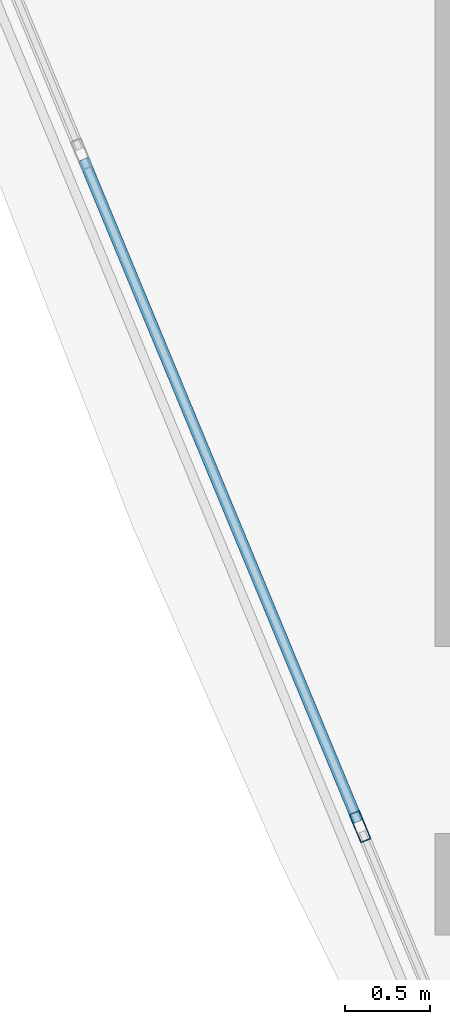
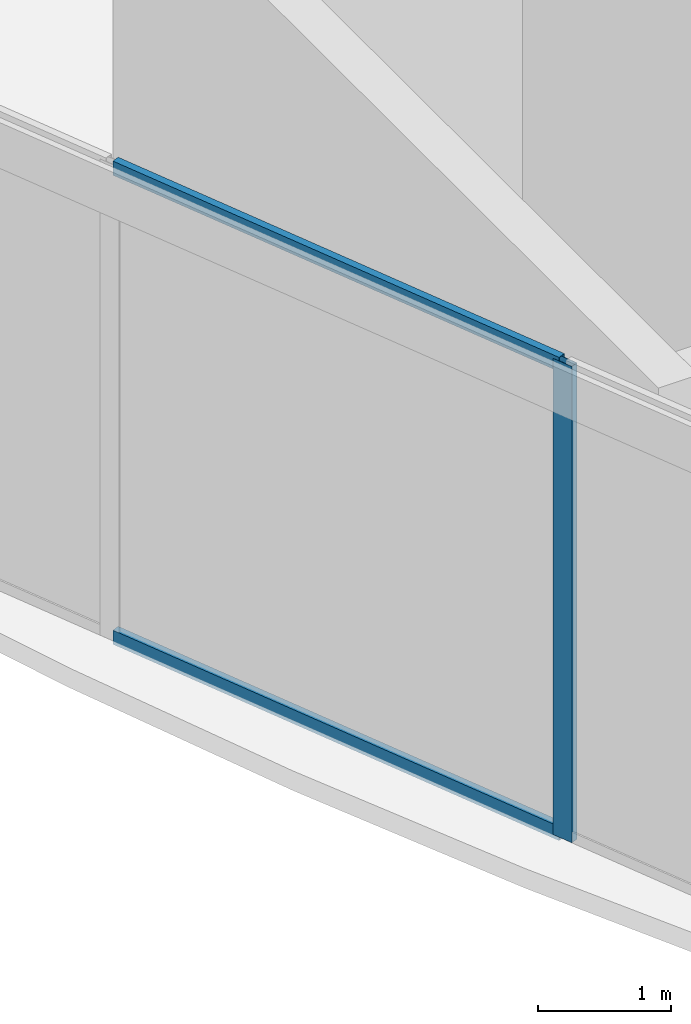
# One storey, part 29 of 157: 3 members, 1 element without a shape of its own.
"""IFC4 building model written with IfcOpenShell, lengths in metres."""

from ifc_helpers import new_model, si_unit, direction, frame, origin, origin_2d, place, context, subcontext, project, spatial, hollow_rectangle, extrude, material, material_profile, profile_set, type_object, element, aggregate, save


model = new_model("IFC4")

# Units and contexts
model_context = context("Model", 3, precision=1e-05, world=origin(), true_north=direction((0.0, 1.0)))
body_context = subcontext(model_context, "Body", "Model", "MODEL_VIEW")
ifc_project = project(units=[si_unit("LENGTHUNIT", "METRE"), si_unit("AREAUNIT", "SQUARE_METRE"), si_unit("VOLUMEUNIT", "CUBIC_METRE"), si_unit("PLANEANGLEUNIT", "RADIAN"), si_unit("MASSUNIT", "GRAM", prefix="KILO")], contexts=[model_context])

# Site, building, storey
site_placement = place(None, origin())
site = spatial("IfcSite", under=ifc_project, at=site_placement, CompositionType="ELEMENT")
building_placement = place(site_placement, origin())
building = spatial("IfcBuilding", under=site, at=building_placement, Name="Almandine Court Research Institute", CompositionType="ELEMENT")
storey_placement = place(building_placement, frame((0.0, 0.0, 5.25)))
storey = spatial("IfcBuildingStorey", under=building, at=storey_placement, Name="L01", CompositionType="ELEMENT", Elevation=5.25)

# Curtain wall, members
ifc_material_1 = material(Name="Unitised Curtain Wall Framing and Solar Glazing", Category="glass")
curtain_wall_type = type_object("IfcCurtainWallType", Name="CW-CWJ-19", PredefinedType="USERDEFINED", material=ifc_material_1)
curtain_wall_placement = place(storey_placement, origin())
curtain_wall = element("IfcCurtainWall", 1, at=curtain_wall_placement, inside=storey, type_object=curtain_wall_type, Name="L01 Stacked-Ring Drum Outer Solar Jali Screen 13", ObjectType="SOLAR JALI SCREEN", PredefinedType="USERDEFINED")
ifc_material_2 = material(Name="Anodised Aluminium AW-6063-T6", Category="aluminium")
ifc_material_profile_1 = material_profile(ifc_material_2, hollow_rectangle(XDim=0.06494140625, YDim=0.179931640625, WallThickness=0.00390625, at=origin_2d()), Name="ALU RHS 65x180x4")
ifc_profile_set_1 = profile_set([ifc_material_profile_1], Name="Anodised Aluminium AW-6063-T6")
member_type_1 = type_object("IfcMemberType", Name="CWMul-65x180", PredefinedType="MULLION", material=ifc_profile_set_1)
member_1_placement = place(storey_placement, frame((42.6083984375, 35.2890625, 0.0), z_axis=(0.0, 0.0, 1.0), x_axis=(-0.923888124321, -0.382662689242, 0.0)))
member_1 = element("IfcMember", 2, at=member_1_placement, type_object=member_type_1, Name="CWJ-19 mullion 2", PredefinedType="MULLION", context=body_context, shape_type="SweptSolid", body=[
    extrude(hollow_rectangle(XDim=0.06494140625, YDim=0.179931640625, WallThickness=0.00390625, at=origin_2d()), origin(), (0.0, 0.0, 1.0), 4.3701171875),
])
ifc_material_profile_2 = material_profile(ifc_material_2, hollow_rectangle(XDim=0.06494140625, YDim=0.1298828125, WallThickness=0.00390625, at=origin_2d()), Name="ALU RHS 65x130x4")
ifc_profile_set_2 = profile_set([ifc_material_profile_2], Name="Anodised Aluminium AW-6063-T6")
member_type_2 = type_object("IfcMemberType", Name="CWTrn-65x130", PredefinedType="NOTDEFINED", material=ifc_profile_set_2)
member_2_placement = place(storey_placement, frame((42.595947265625, 35.319091796875, 0.032470703125), z_axis=(-0.382703712437, 0.92387113197, 0.0), x_axis=(-0.92387113197, -0.382703712437, 0.0)))
member_2 = element("IfcMember", 3, at=member_2_placement, type_object=member_type_2, Name="CWJ-19 transom 2.1", ObjectType="TRANSOM", PredefinedType="USERDEFINED", context=body_context, shape_type="SweptSolid", body=[
    extrude(hollow_rectangle(XDim=0.06494140625, YDim=0.1298828125, WallThickness=0.00390625, at=origin_2d()), origin(), (0.0, 0.0, 1.0), 4.2275390625),
])
member_3_placement = place(storey_placement, frame((42.595947265625, 35.319091796875, 4.33740234375), z_axis=(-0.382703712437, 0.92387113197, 0.0), x_axis=(-0.92387113197, -0.382703712437, 0.0)))
member_3 = element("IfcMember", 4, at=member_3_placement, type_object=member_type_2, Name="CWJ-19 transom 2.2", ObjectType="TRANSOM", PredefinedType="USERDEFINED", context=body_context, shape_type="SweptSolid", body=[
    extrude(hollow_rectangle(XDim=0.06494140625, YDim=0.1298828125, WallThickness=0.00390625, at=origin_2d()), origin(), (0.0, 0.0, 1.0), 4.2275390625),
])
aggregate(curtain_wall, [member_1, member_2, member_3])

save(model, "model.ifc")
